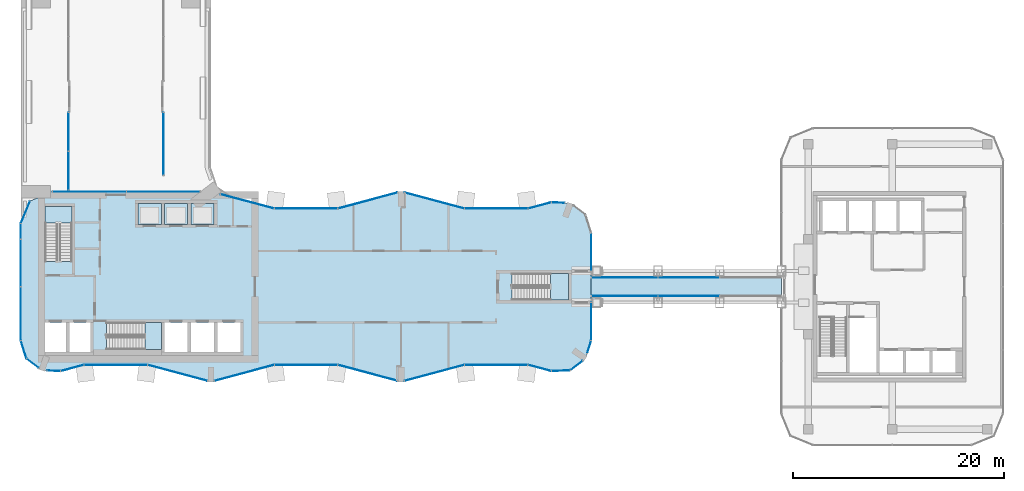
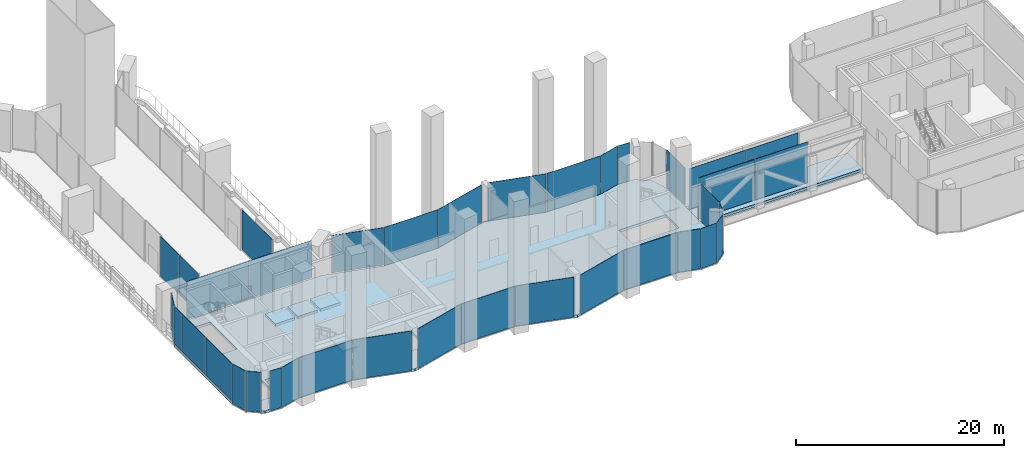
# One storey, part 13 of 23: 37 plates, 8 slabs, 36 elements without a shape of their own.
"""IFC4 building model written with IfcOpenShell, lengths in metres."""

from ifc_helpers import new_model, si_unit, direction, frame, origin, origin_2d, place, context, subcontext, project, spatial, polyline, rectangle, outline, extrude, material, layer, layer_set, type_object, element, aggregate, save


model = new_model("IFC4")

# Units and contexts
model_context = context("Model", 3, precision=1e-05, world=origin(), true_north=direction((0.0, 1.0)))
body_context = subcontext(model_context, "Body", "Model", "MODEL_VIEW")
ifc_project = project(units=[si_unit("LENGTHUNIT", "METRE"), si_unit("AREAUNIT", "SQUARE_METRE"), si_unit("VOLUMEUNIT", "CUBIC_METRE"), si_unit("PLANEANGLEUNIT", "RADIAN"), si_unit("MASSUNIT", "GRAM", prefix="KILO")], contexts=[model_context])

# Site, building, storey
site_placement = place(None, origin())
site = spatial("IfcSite", under=ifc_project, at=site_placement, CompositionType="ELEMENT")
building_placement = place(site_placement, origin())
building = spatial("IfcBuilding", under=site, at=building_placement, Name="Plateau Cross Towers", CompositionType="ELEMENT")
storey_placement = place(building_placement, frame((0.0, 0.0, 123.800048828125)))
storey = spatial("IfcBuildingStorey", under=building, at=storey_placement, Name="L32", CompositionType="ELEMENT", Elevation=123.800048828125)

# Curtain wall, plate
ifc_material_1 = material(Name="Dark low-iron laminated glass", Category="glass")
ifc_layer_1 = layer(ifc_material_1, 0.25)
ifc_layer_set_1 = layer_set([ifc_layer_1], Name="Dark low-iron laminated glass")
curtain_wall_type_1 = type_object("IfcCurtainWallType", Name="Curtain wall bridge CW-E", PredefinedType="NOTDEFINED", material=ifc_layer_set_1)
curtain_wall_1_placement = place(storey_placement, origin())
curtain_wall_1 = element("IfcCurtainWall", 1, at=curtain_wall_1_placement, inside=storey, type_object=curtain_wall_type_1, Name="ENV/BR/L32/BR-S-south-1", PredefinedType="NOTDEFINED")
ifc_layer_2 = layer(ifc_material_1, 0.030029296875)
ifc_layer_set_2 = layer_set([ifc_layer_2], Name="Dark low-iron laminated glass")
plate_type_1 = type_object("IfcPlateType", Name="Glass panel 30 bridge", PredefinedType="CURTAIN_PANEL", material=ifc_layer_set_2)
plate_1_placement = place(storey_placement, frame((57.166748046875, 8.1201171875, -0.179931640625), z_axis=(0.0, 0.0, 1.0), x_axis=(1.0, 0.0, 0.0)))
plate_1 = element("IfcPlate", 2, at=plate_1_placement, type_object=plate_type_1, Name="CW-E panel 1", PredefinedType="CURTAIN_PANEL", context=body_context, shape_type="SweptSolid", body=[
    extrude(rectangle(XDim=6.2734375, YDim=0.030029296875, at=origin_2d()), origin(), (0.0, 0.0, 1.0), 4.97998046875),
])
aggregate(curtain_wall_1, [plate_1])

curtain_wall_2_placement = place(storey_placement, origin())
curtain_wall_2 = element("IfcCurtainWall", 3, at=curtain_wall_2_placement, inside=storey, type_object=curtain_wall_type_1, Name="ENV/BR/L32/BR-S-south-2", PredefinedType="NOTDEFINED")
plate_2_placement = place(storey_placement, frame((63.25, 8.1201171875, -0.179931640625), z_axis=(0.0, 0.0, 1.0), x_axis=(1.0, 0.0, 0.0)))
plate_2 = element("IfcPlate", 4, at=plate_2_placement, type_object=plate_type_1, Name="CW-E panel 1", PredefinedType="CURTAIN_PANEL", context=body_context, shape_type="SweptSolid", body=[
    extrude(rectangle(XDim=5.7734375, YDim=0.030029296875, at=origin_2d()), origin(), (0.0, 0.0, 1.0), 4.97998046875),
])
aggregate(curtain_wall_2, [plate_2])

curtain_wall_3_placement = place(storey_placement, origin())
curtain_wall_3 = element("IfcCurtainWall", 5, at=curtain_wall_3_placement, inside=storey, type_object=curtain_wall_type_1, Name="ENV/BR/L32/BR-S-north-1", PredefinedType="NOTDEFINED")
plate_3_placement = place(storey_placement, frame((57.166748046875, 9.8798828125, -0.179931640625), z_axis=(0.0, 0.0, 1.0), x_axis=(1.0, 0.0, 0.0)))
plate_3 = element("IfcPlate", 6, at=plate_3_placement, type_object=plate_type_1, Name="CW-E panel 1", PredefinedType="CURTAIN_PANEL", context=body_context, shape_type="SweptSolid", body=[
    extrude(rectangle(XDim=6.2734375, YDim=0.030029296875, at=origin_2d()), origin(), (0.0, 0.0, 1.0), 4.97998046875),
])
aggregate(curtain_wall_3, [plate_3])

curtain_wall_4_placement = place(storey_placement, origin())
curtain_wall_4 = element("IfcCurtainWall", 7, at=curtain_wall_4_placement, inside=storey, type_object=curtain_wall_type_1, Name="ENV/BR/L32/BR-S-north-2", PredefinedType="NOTDEFINED")
plate_4_placement = place(storey_placement, frame((63.25, 9.8798828125, -0.179931640625), z_axis=(0.0, 0.0, 1.0), x_axis=(1.0, 0.0, 0.0)))
plate_4 = element("IfcPlate", 8, at=plate_4_placement, type_object=plate_type_1, Name="CW-E panel 1", PredefinedType="CURTAIN_PANEL", context=body_context, shape_type="SweptSolid", body=[
    extrude(rectangle(XDim=5.7734375, YDim=0.030029296875, at=origin_2d()), origin(), (0.0, 0.0, 1.0), 4.97998046875),
])
aggregate(curtain_wall_4, [plate_4])

ifc_material_2 = material(Name="Dark low-iron glass", Category="glass")
ifc_layer_3 = layer(ifc_material_2, 0.239990234375)
ifc_layer_set_3 = layer_set([ifc_layer_3], Name="Dark low-iron glass")
curtain_wall_type_2 = type_object("IfcCurtainWallType", Name="Curtain wall flush unitised CW-B", PredefinedType="NOTDEFINED", material=ifc_layer_set_3)
curtain_wall_5_placement = place(storey_placement, origin())
curtain_wall_5 = element("IfcCurtainWall", 9, at=curtain_wall_5_placement, inside=storey, type_object=curtain_wall_type_2, Name="ENV/A/L32/A502_10", PredefinedType="NOTDEFINED")
ifc_layer_4 = layer(ifc_material_2, 0.031982421875)
ifc_layer_set_4 = layer_set([ifc_layer_4], Name="Dark low-iron glass")
plate_type_2 = type_object("IfcPlateType", Name="Glass panel 32 flush unitised", PredefinedType="CURTAIN_PANEL", material=ifc_layer_set_4)
plate_5_placement = place(storey_placement, frame((51.125, 1.05078125, -0.18017578125), z_axis=(0.0, 0.0, 1.0), x_axis=(0.999043701491, 0.043722791671, 0.0)))
plate_5 = element("IfcPlate", 10, at=plate_5_placement, type_object=plate_type_2, Name="CW-B panel 1", PredefinedType="CURTAIN_PANEL", context=body_context, shape_type="SweptSolid", body=[
    extrude(rectangle(XDim=1.744140625, YDim=0.031982421875, at=origin_2d()), origin(), (0.0, 0.0, 1.0), 4.679931640625),
])
aggregate(curtain_wall_5, [plate_5])

curtain_wall_6_placement = place(storey_placement, origin())
curtain_wall_6 = element("IfcCurtainWall", 11, at=curtain_wall_6_placement, inside=storey, type_object=curtain_wall_type_2, Name="ENV/A/L32/A520_11", PredefinedType="NOTDEFINED")
plate_6_placement = place(storey_placement, frame((52.60986328125, 1.5380859375, -0.18017578125), z_axis=(0.0, 0.0, 1.0), x_axis=(0.793315514529, 0.608810721331, 0.0)))
plate_6 = element("IfcPlate", 12, at=plate_6_placement, type_object=plate_type_2, Name="CW-B panel 1", PredefinedType="CURTAIN_PANEL", context=body_context, shape_type="SweptSolid", body=[
    extrude(rectangle(XDim=1.41162109375, YDim=0.031982421875, at=origin_2d()), origin(), (0.0, 0.0, 1.0), 4.679931640625),
])
aggregate(curtain_wall_6, [plate_6])

curtain_wall_7_placement = place(storey_placement, origin())
curtain_wall_7 = element("IfcCurtainWall", 13, at=curtain_wall_7_placement, inside=storey, type_object=curtain_wall_type_2, Name="ENV/A/L32/A536_27", PredefinedType="NOTDEFINED")
plate_7_placement = place(storey_placement, frame((53.805419921875, 3.292236328125, -0.18017578125), z_axis=(0.0, 0.0, 1.0), x_axis=(0.300686174994, 0.95372313811, 0.0)))
plate_7 = element("IfcPlate", 14, at=plate_7_placement, type_object=plate_type_2, Name="CW-B panel 1", PredefinedType="CURTAIN_PANEL", context=body_context, shape_type="SweptSolid", body=[
    extrude(rectangle(XDim=1.233642578125, YDim=0.031982421875, at=origin_2d()), origin(), (0.0, 0.0, 1.0), 4.679931640625),
])
aggregate(curtain_wall_7, [plate_7])

curtain_wall_8_placement = place(storey_placement, origin())
curtain_wall_8 = element("IfcCurtainWall", 15, at=curtain_wall_8_placement, inside=storey, type_object=curtain_wall_type_2, Name="ENV/A/L32/A540_39", PredefinedType="NOTDEFINED")
plate_8_placement = place(storey_placement, frame((54.0, 5.70458984375, 0.1201171875), z_axis=(0.0, 0.0, 1.0), x_axis=(0.0, 1.0, 0.0)))
plate_8 = element("IfcPlate", 16, at=plate_8_placement, type_object=plate_type_2, Name="CW-B panel 1", PredefinedType="CURTAIN_PANEL", context=body_context, shape_type="SweptSolid", body=[
    extrude(rectangle(XDim=3.53076171875, YDim=0.031982421875, at=origin_2d()), origin(), (0.0, 0.0, 1.0), 4.3798828125),
])
aggregate(curtain_wall_8, [plate_8])

curtain_wall_9_placement = place(storey_placement, origin())
curtain_wall_9 = element("IfcCurtainWall", 17, at=curtain_wall_9_placement, inside=storey, type_object=curtain_wall_type_2, Name="ENV/A/L32/A540_105", PredefinedType="NOTDEFINED")
plate_9_placement = place(storey_placement, frame((54.0, 12.29541015625, 0.1201171875), z_axis=(0.0, 0.0, 1.0), x_axis=(0.0, 1.0, 0.0)))
plate_9 = element("IfcPlate", 18, at=plate_9_placement, type_object=plate_type_2, Name="CW-B panel 1", PredefinedType="CURTAIN_PANEL", context=body_context, shape_type="SweptSolid", body=[
    extrude(rectangle(XDim=3.53076171875, YDim=0.031982421875, at=origin_2d()), origin(), (0.0, 0.0, 1.0), 4.3798828125),
])
aggregate(curtain_wall_9, [plate_9])

curtain_wall_10_placement = place(storey_placement, origin())
curtain_wall_10 = element("IfcCurtainWall", 19, at=curtain_wall_10_placement, inside=storey, type_object=curtain_wall_type_2, Name="ENV/A/L32/A515_169", PredefinedType="NOTDEFINED")
plate_10_placement = place(storey_placement, frame((50.8701171875, 16.96044921875, -0.18017578125), z_axis=(0.0, 0.0, 1.0), x_axis=(-0.999043701491, 0.043722791671, 0.0)))
plate_10 = element("IfcPlate", 20, at=plate_10_placement, type_object=plate_type_2, Name="CW-B panel 1", PredefinedType="CURTAIN_PANEL", context=body_context, shape_type="SweptSolid", body=[
    extrude(rectangle(XDim=1.233642578125, YDim=0.031982421875, at=origin_2d()), origin(), (0.0, 0.0, 1.0), 4.679931640625),
])
aggregate(curtain_wall_10, [plate_10])

# Curtain wall, plates
curtain_wall_11_placement = place(storey_placement, origin())
curtain_wall_11 = element("IfcCurtainWall", 21, at=curtain_wall_11_placement, inside=storey, type_object=curtain_wall_type_2, Name="ENV/A/L32/A170_180", PredefinedType="NOTDEFINED")
plate_11_placement = place(storey_placement, frame((13.486328125, 18.0, 0.1201171875), z_axis=(0.0, 0.0, 1.0), x_axis=(-1.0, 0.0, 0.0)))
plate_11 = element("IfcPlate", 22, at=plate_11_placement, type_object=plate_type_2, Name="CW-B panel 1", PredefinedType="CURTAIN_PANEL", context=body_context, shape_type="SweptSolid", body=[
    extrude(rectangle(XDim=6.930908203125, YDim=0.031982421875, at=origin_2d()), origin(), (0.0, 0.0, 1.0), 4.3798828125),
])
plate_12_placement = place(storey_placement, frame((6.495361328125, 18.0, 0.1201171875), z_axis=(0.0, 0.0, 1.0), x_axis=(-1.0, 0.0, 0.0)))
plate_12 = element("IfcPlate", 23, at=plate_12_placement, type_object=plate_type_2, Name="CW-B panel 2", PredefinedType="CURTAIN_PANEL", context=body_context, shape_type="SweptSolid", body=[
    extrude(rectangle(XDim=6.930908203125, YDim=0.031982421875, at=origin_2d()), origin(), (0.0, 0.0, 1.0), 4.3798828125),
])
aggregate(curtain_wall_11, [plate_11, plate_12])

# Curtain wall, plate
curtain_wall_12_placement = place(storey_placement, origin())
curtain_wall_12 = element("IfcCurtainWall", 24, at=curtain_wall_12_placement, inside=storey, type_object=curtain_wall_type_2, Name="ENV/A/L32/A9_171", PredefinedType="NOTDEFINED")
plate_13_placement = place(storey_placement, frame((0.439453125, 16.060546875, 0.1201171875), z_axis=(0.0, 0.0, 1.0), x_axis=(-0.382683612978, -0.923879457699, 0.0)))
plate_13 = element("IfcPlate", 25, at=plate_13_placement, type_object=plate_type_2, Name="CW-B panel 1", PredefinedType="CURTAIN_PANEL", context=body_context, shape_type="SweptSolid", body=[
    extrude(rectangle(XDim=2.236083984375, YDim=0.031982421875, at=origin_2d()), origin(), (0.0, 0.0, 1.0), 4.3798828125),
])
aggregate(curtain_wall_12, [plate_13])

# Curtain wall, plates
curtain_wall_13_placement = place(storey_placement, origin())
curtain_wall_13 = element("IfcCurtainWall", 26, at=curtain_wall_13_placement, inside=storey, type_object=curtain_wall_type_2, Name="ENV/A/L32/A0_150", PredefinedType="NOTDEFINED")
plate_14_placement = place(storey_placement, frame((0.0, 14.25, 0.1201171875), z_axis=(0.0, 0.0, 1.0), x_axis=(0.0, -1.0, 0.0)))
plate_14 = element("IfcPlate", 27, at=plate_14_placement, type_object=plate_type_2, Name="CW-B panel 1", PredefinedType="CURTAIN_PANEL", context=body_context, shape_type="SweptSolid", body=[
    extrude(rectangle(XDim=1.43994140625, YDim=0.031982421875, at=origin_2d()), origin(), (0.0, 0.0, 1.0), 4.3798828125),
])
plate_15_placement = place(storey_placement, frame((0.0, 11.25, 0.1201171875), z_axis=(0.0, 0.0, 1.0), x_axis=(0.0, -1.0, 0.0)))
plate_15 = element("IfcPlate", 28, at=plate_15_placement, type_object=plate_type_2, Name="CW-B panel 2", PredefinedType="CURTAIN_PANEL", context=body_context, shape_type="SweptSolid", body=[
    extrude(rectangle(XDim=4.43994140625, YDim=0.031982421875, at=origin_2d()), origin(), (0.0, 0.0, 1.0), 4.3798828125),
])
plate_16_placement = place(storey_placement, frame((0.0, 6.45458984375, 0.1201171875), z_axis=(0.0, 0.0, 1.0), x_axis=(0.0, -1.0, 0.0)))
plate_16 = element("IfcPlate", 29, at=plate_16_placement, type_object=plate_type_2, Name="CW-B panel 3", PredefinedType="CURTAIN_PANEL", context=body_context, shape_type="SweptSolid", body=[
    extrude(rectangle(XDim=5.03076171875, YDim=0.031982421875, at=origin_2d()), origin(), (0.0, 0.0, 1.0), 4.3798828125),
])
aggregate(curtain_wall_13, [plate_14, plate_15, plate_16])

# Curtain wall, plate
curtain_wall_14_placement = place(storey_placement, origin())
curtain_wall_14 = element("IfcCurtainWall", 30, at=curtain_wall_14_placement, inside=storey, type_object=curtain_wall_type_2, Name="ENV/A/L32/A0_39", PredefinedType="NOTDEFINED")
plate_17_placement = place(storey_placement, frame((0.271240234375, 3.048828125, -0.18017578125), z_axis=(0.0, 0.0, 1.0), x_axis=(0.300686174994, -0.95372313811, 0.0)))
plate_17 = element("IfcPlate", 31, at=plate_17_placement, type_object=plate_type_2, Name="CW-B panel 1", PredefinedType="CURTAIN_PANEL", context=body_context, shape_type="SweptSolid", body=[
    extrude(rectangle(XDim=1.744140625, YDim=0.031982421875, at=origin_2d()), origin(), (0.0, 0.0, 1.0), 4.679931640625),
])
aggregate(curtain_wall_14, [plate_17])

curtain_wall_15_placement = place(storey_placement, origin())
curtain_wall_15 = element("IfcCurtainWall", 32, at=curtain_wall_15_placement, inside=storey, type_object=curtain_wall_type_2, Name="ENV/A/L32/A5_22", PredefinedType="NOTDEFINED")
plate_18_placement = place(storey_placement, frame((1.126220703125, 1.74072265625, -0.18017578125), z_axis=(0.0, 0.0, 1.0), x_axis=(0.793315514529, -0.608810721331, 0.0)))
plate_18 = element("IfcPlate", 33, at=plate_18_placement, type_object=plate_type_2, Name="CW-B panel 1", PredefinedType="CURTAIN_PANEL", context=body_context, shape_type="SweptSolid", body=[
    extrude(rectangle(XDim=1.41162109375, YDim=0.031982421875, at=origin_2d()), origin(), (0.0, 0.0, 1.0), 4.679931640625),
])
aggregate(curtain_wall_15, [plate_18])

curtain_wall_16_placement = place(storey_placement, origin())
curtain_wall_16 = element("IfcCurtainWall", 34, at=curtain_wall_16_placement, inside=storey, type_object=curtain_wall_type_2, Name="ENV/A/L32/A25_11", PredefinedType="NOTDEFINED")
plate_19_placement = place(storey_placement, frame((3.1298828125, 1.03955078125, -0.18017578125), z_axis=(0.0, 0.0, 1.0), x_axis=(0.999043701491, -0.043722791671, 0.0)))
plate_19 = element("IfcPlate", 35, at=plate_19_placement, type_object=plate_type_2, Name="CW-B panel 1", PredefinedType="CURTAIN_PANEL", context=body_context, shape_type="SweptSolid", body=[
    extrude(rectangle(XDim=1.233642578125, YDim=0.031982421875, at=origin_2d()), origin(), (0.0, 0.0, 1.0), 4.679931640625),
])
aggregate(curtain_wall_16, [plate_19])

curtain_wall_17_placement = place(storey_placement, origin())
curtain_wall_17 = element("IfcCurtainWall", 36, at=curtain_wall_17_placement, inside=storey, type_object=curtain_wall_type_2, Name="ENV/A/L32/sky135_255_135_196", PredefinedType="NOTDEFINED")
plate_20_placement = place(storey_placement, frame((13.5, 22.529541015625, 0.1201171875), z_axis=(0.0, 0.0, 1.0), x_axis=(0.0, -1.0, 0.0)))
plate_20 = element("IfcPlate", 37, at=plate_20_placement, type_object=plate_type_2, Name="CW-B panel 1", PredefinedType="CURTAIN_PANEL", context=body_context, shape_type="SweptSolid", body=[
    extrude(rectangle(XDim=5.880859375, YDim=0.031982421875, at=origin_2d()), origin(), (0.0, 0.0, 1.0), 4.679931640625),
])
aggregate(curtain_wall_17, [plate_20])

# Curtain wall, plates
curtain_wall_18_placement = place(storey_placement, origin())
curtain_wall_18 = element("IfcCurtainWall", 38, at=curtain_wall_18_placement, inside=storey, type_object=curtain_wall_type_2, Name="ENV/A/L32/sky45_182_45_255", PredefinedType="NOTDEFINED")
plate_21_placement = place(storey_placement, frame((4.5, 19.987548828125, 0.1201171875), z_axis=(0.0, 0.0, 1.0), x_axis=(0.0, 1.0, 0.0)))
plate_21 = element("IfcPlate", 39, at=plate_21_placement, type_object=plate_type_2, Name="CW-B panel 1", PredefinedType="CURTAIN_PANEL", context=body_context, shape_type="SweptSolid", body=[
    extrude(rectangle(XDim=3.614990234375, YDim=0.031982421875, at=origin_2d()), origin(), (0.0, 0.0, 1.0), 4.679931640625),
])
plate_22_placement = place(storey_placement, frame((4.5, 23.66259765625, 0.1201171875), z_axis=(0.0, 0.0, 1.0), x_axis=(0.0, 1.0, 0.0)))
plate_22 = element("IfcPlate", 40, at=plate_22_placement, type_object=plate_type_2, Name="CW-B panel 2", PredefinedType="CURTAIN_PANEL", context=body_context, shape_type="SweptSolid", body=[
    extrude(rectangle(XDim=3.614990234375, YDim=0.031982421875, at=origin_2d()), origin(), (0.0, 0.0, 1.0), 4.679931640625),
])
aggregate(curtain_wall_18, [plate_21, plate_22])

# Curtain wall, plate
ifc_layer_5 = layer(ifc_material_2, 0.260009765625)
ifc_layer_set_5 = layer_set([ifc_layer_5], Name="Dark low-iron glass")
curtain_wall_type_3 = type_object("IfcCurtainWallType", Name="Curtain wall fluted unitised CW-A", PredefinedType="NOTDEFINED", material=ifc_layer_set_5)
curtain_wall_19_placement = place(storey_placement, origin())
curtain_wall_19 = element("IfcCurtainWall", 41, at=curtain_wall_19_placement, inside=storey, type_object=curtain_wall_type_3, Name="ENV/A/L32/A38_10", PredefinedType="NOTDEFINED")
ifc_layer_6 = layer(ifc_material_2, 0.035888671875)
ifc_layer_set_6 = layer_set([ifc_layer_6], Name="Dark low-iron glass")
plate_type_3 = type_object("IfcPlateType", Name="Glass panel 36 fluted unitised", PredefinedType="CURTAIN_PANEL", material=ifc_layer_set_6)
plate_23_placement = place(storey_placement, frame((4.887939453125, 1.30908203125, -0.18017578125), z_axis=(0.0, 0.0, 1.0), x_axis=(0.965957962328, 0.258699081978, 0.0)))
plate_23 = element("IfcPlate", 42, at=plate_23_placement, type_object=plate_type_3, Name="CW-A panel 1", PredefinedType="CURTAIN_PANEL", context=body_context, shape_type="SweptSolid", body=[
    extrude(rectangle(XDim=2.2421875, YDim=0.035888671875, at=origin_2d()), origin(), (0.0, 0.0, 1.0), 4.679931640625),
])
aggregate(curtain_wall_19, [plate_23])

curtain_wall_20_placement = place(storey_placement, origin())
curtain_wall_20 = element("IfcCurtainWall", 43, at=curtain_wall_20_placement, inside=storey, type_object=curtain_wall_type_3, Name="ENV/A/L32/A60_16", PredefinedType="NOTDEFINED")
plate_24_placement = place(storey_placement, frame((9.0, 1.60693359375, -0.18017578125), z_axis=(0.0, 0.0, 1.0), x_axis=(1.0, 0.0, 0.0)))
plate_24 = element("IfcPlate", 44, at=plate_24_placement, type_object=plate_type_3, Name="CW-A panel 1", PredefinedType="CURTAIN_PANEL", context=body_context, shape_type="SweptSolid", body=[
    extrude(rectangle(XDim=5.93994140625, YDim=0.035888671875, at=origin_2d()), origin(), (0.0, 0.0, 1.0), 4.679931640625),
])
aggregate(curtain_wall_20, [plate_24])

curtain_wall_21_placement = place(storey_placement, origin())
curtain_wall_21 = element("IfcCurtainWall", 45, at=curtain_wall_21_placement, inside=storey, type_object=curtain_wall_type_3, Name="ENV/A/L32/A120_16", PredefinedType="NOTDEFINED")
plate_25_placement = place(storey_placement, frame((14.841064453125, 0.845947265625, -0.18017578125), z_axis=(0.0, 0.0, 1.0), x_axis=(0.965957983404, -0.258699003279, 0.0)))
plate_25 = element("IfcPlate", 46, at=plate_25_placement, type_object=plate_type_3, Name="CW-A panel 1", PredefinedType="CURTAIN_PANEL", context=body_context, shape_type="SweptSolid", body=[
    extrude(rectangle(XDim=5.822265625, YDim=0.035888671875, at=origin_2d()), origin(), (0.0, 0.0, 1.0), 4.679931640625),
])
aggregate(curtain_wall_21, [plate_25])

curtain_wall_22_placement = place(storey_placement, origin())
curtain_wall_22 = element("IfcCurtainWall", 47, at=curtain_wall_22_placement, inside=storey, type_object=curtain_wall_type_3, Name="ENV/A/L32/A183_1", PredefinedType="NOTDEFINED")
plate_26_placement = place(storey_placement, frame((21.158935546875, 0.845947265625, -0.18017578125), z_axis=(0.0, 0.0, 1.0), x_axis=(0.965957983404, 0.258699003279, 0.0)))
plate_26 = element("IfcPlate", 48, at=plate_26_placement, type_object=plate_type_3, Name="CW-A panel 1", PredefinedType="CURTAIN_PANEL", context=body_context, shape_type="SweptSolid", body=[
    extrude(rectangle(XDim=5.822265625, YDim=0.035888671875, at=origin_2d()), origin(), (0.0, 0.0, 1.0), 4.679931640625),
])
aggregate(curtain_wall_22, [plate_26])

curtain_wall_23_placement = place(storey_placement, origin())
curtain_wall_23 = element("IfcCurtainWall", 49, at=curtain_wall_23_placement, inside=storey, type_object=curtain_wall_type_3, Name="ENV/A/L32/A240_16", PredefinedType="NOTDEFINED")
plate_27_placement = place(storey_placement, frame((27.0, 1.60693359375, -0.18017578125), z_axis=(0.0, 0.0, 1.0), x_axis=(1.0, 0.0, 0.0)))
plate_27 = element("IfcPlate", 50, at=plate_27_placement, type_object=plate_type_3, Name="CW-A panel 1", PredefinedType="CURTAIN_PANEL", context=body_context, shape_type="SweptSolid", body=[
    extrude(rectangle(XDim=5.93994140625, YDim=0.035888671875, at=origin_2d()), origin(), (0.0, 0.0, 1.0), 4.679931640625),
])
aggregate(curtain_wall_23, [plate_27])

curtain_wall_24_placement = place(storey_placement, origin())
curtain_wall_24 = element("IfcCurtainWall", 51, at=curtain_wall_24_placement, inside=storey, type_object=curtain_wall_type_3, Name="ENV/A/L32/A300_16", PredefinedType="NOTDEFINED")
plate_28_placement = place(storey_placement, frame((32.841064453125, 0.845947265625, -0.18017578125), z_axis=(0.0, 0.0, 1.0), x_axis=(0.965957983404, -0.258699003279, 0.0)))
plate_28 = element("IfcPlate", 52, at=plate_28_placement, type_object=plate_type_3, Name="CW-A panel 1", PredefinedType="CURTAIN_PANEL", context=body_context, shape_type="SweptSolid", body=[
    extrude(rectangle(XDim=5.822265625, YDim=0.035888671875, at=origin_2d()), origin(), (0.0, 0.0, 1.0), 4.679931640625),
])
aggregate(curtain_wall_24, [plate_28])

curtain_wall_25_placement = place(storey_placement, origin())
curtain_wall_25 = element("IfcCurtainWall", 53, at=curtain_wall_25_placement, inside=storey, type_object=curtain_wall_type_3, Name="ENV/A/L32/A363_1", PredefinedType="NOTDEFINED")
plate_29_placement = place(storey_placement, frame((39.158935546875, 0.845947265625, -0.18017578125), z_axis=(0.0, 0.0, 1.0), x_axis=(0.965957983404, 0.258699003279, 0.0)))
plate_29 = element("IfcPlate", 54, at=plate_29_placement, type_object=plate_type_3, Name="CW-A panel 1", PredefinedType="CURTAIN_PANEL", context=body_context, shape_type="SweptSolid", body=[
    extrude(rectangle(XDim=5.822265625, YDim=0.035888671875, at=origin_2d()), origin(), (0.0, 0.0, 1.0), 4.679931640625),
])
aggregate(curtain_wall_25, [plate_29])

curtain_wall_26_placement = place(storey_placement, origin())
curtain_wall_26 = element("IfcCurtainWall", 55, at=curtain_wall_26_placement, inside=storey, type_object=curtain_wall_type_3, Name="ENV/A/L32/A420_16", PredefinedType="NOTDEFINED")
plate_30_placement = place(storey_placement, frame((45.0, 1.60693359375, -0.18017578125), z_axis=(0.0, 0.0, 1.0), x_axis=(1.0, 0.0, 0.0)))
plate_30 = element("IfcPlate", 56, at=plate_30_placement, type_object=plate_type_3, Name="CW-A panel 1", PredefinedType="CURTAIN_PANEL", context=body_context, shape_type="SweptSolid", body=[
    extrude(rectangle(XDim=5.93994140625, YDim=0.035888671875, at=origin_2d()), origin(), (0.0, 0.0, 1.0), 4.679931640625),
])
aggregate(curtain_wall_26, [plate_30])

curtain_wall_27_placement = place(storey_placement, origin())
curtain_wall_27 = element("IfcCurtainWall", 57, at=curtain_wall_27_placement, inside=storey, type_object=curtain_wall_type_3, Name="ENV/A/L32/A480_16", PredefinedType="NOTDEFINED")
plate_31_placement = place(storey_placement, frame((49.112060546875, 1.30908203125, -0.18017578125), z_axis=(0.0, 0.0, 1.0), x_axis=(0.965957962328, -0.258699081978, 0.0)))
plate_31 = element("IfcPlate", 58, at=plate_31_placement, type_object=plate_type_3, Name="CW-A panel 1", PredefinedType="CURTAIN_PANEL", context=body_context, shape_type="SweptSolid", body=[
    extrude(rectangle(XDim=2.2421875, YDim=0.035888671875, at=origin_2d()), origin(), (0.0, 0.0, 1.0), 4.679931640625),
])
aggregate(curtain_wall_27, [plate_31])

curtain_wall_28_placement = place(storey_placement, origin())
curtain_wall_28 = element("IfcCurtainWall", 59, at=curtain_wall_28_placement, inside=storey, type_object=curtain_wall_type_3, Name="ENV/A/L32/A502_170", PredefinedType="NOTDEFINED")
plate_32_placement = place(storey_placement, frame((49.112060546875, 16.69091796875, -0.18017578125), z_axis=(0.0, 0.0, 1.0), x_axis=(-0.965957962328, -0.258699081978, 0.0)))
plate_32 = element("IfcPlate", 60, at=plate_32_placement, type_object=plate_type_3, Name="CW-A panel 1", PredefinedType="CURTAIN_PANEL", context=body_context, shape_type="SweptSolid", body=[
    extrude(rectangle(XDim=2.2421875, YDim=0.035888671875, at=origin_2d()), origin(), (0.0, 0.0, 1.0), 4.679931640625),
])
aggregate(curtain_wall_28, [plate_32])

curtain_wall_29_placement = place(storey_placement, origin())
curtain_wall_29 = element("IfcCurtainWall", 61, at=curtain_wall_29_placement, inside=storey, type_object=curtain_wall_type_3, Name="ENV/A/L32/A480_164", PredefinedType="NOTDEFINED")
plate_33_placement = place(storey_placement, frame((45.0, 16.39306640625, -0.18017578125), z_axis=(0.0, 0.0, 1.0), x_axis=(-1.0, 0.0, 0.0)))
plate_33 = element("IfcPlate", 62, at=plate_33_placement, type_object=plate_type_3, Name="CW-A panel 1", PredefinedType="CURTAIN_PANEL", context=body_context, shape_type="SweptSolid", body=[
    extrude(rectangle(XDim=5.93994140625, YDim=0.035888671875, at=origin_2d()), origin(), (0.0, 0.0, 1.0), 4.679931640625),
])
aggregate(curtain_wall_29, [plate_33])

curtain_wall_30_placement = place(storey_placement, origin())
curtain_wall_30 = element("IfcCurtainWall", 63, at=curtain_wall_30_placement, inside=storey, type_object=curtain_wall_type_3, Name="ENV/A/L32/A420_164", PredefinedType="NOTDEFINED")
plate_34_placement = place(storey_placement, frame((39.158935546875, 17.154052734375, -0.18017578125), z_axis=(0.0, 0.0, 1.0), x_axis=(-0.965957983404, 0.258699003279, 0.0)))
plate_34 = element("IfcPlate", 64, at=plate_34_placement, type_object=plate_type_3, Name="CW-A panel 1", PredefinedType="CURTAIN_PANEL", context=body_context, shape_type="SweptSolid", body=[
    extrude(rectangle(XDim=5.822265625, YDim=0.035888671875, at=origin_2d()), origin(), (0.0, 0.0, 1.0), 4.679931640625),
])
aggregate(curtain_wall_30, [plate_34])

curtain_wall_31_placement = place(storey_placement, origin())
curtain_wall_31 = element("IfcCurtainWall", 65, at=curtain_wall_31_placement, inside=storey, type_object=curtain_wall_type_3, Name="ENV/A/L32/A357_179", PredefinedType="NOTDEFINED")
plate_35_placement = place(storey_placement, frame((32.841064453125, 17.154052734375, -0.18017578125), z_axis=(0.0, 0.0, 1.0), x_axis=(-0.965957983404, -0.258699003279, 0.0)))
plate_35 = element("IfcPlate", 66, at=plate_35_placement, type_object=plate_type_3, Name="CW-A panel 1", PredefinedType="CURTAIN_PANEL", context=body_context, shape_type="SweptSolid", body=[
    extrude(rectangle(XDim=5.822265625, YDim=0.035888671875, at=origin_2d()), origin(), (0.0, 0.0, 1.0), 4.679931640625),
])
aggregate(curtain_wall_31, [plate_35])

curtain_wall_32_placement = place(storey_placement, origin())
curtain_wall_32 = element("IfcCurtainWall", 67, at=curtain_wall_32_placement, inside=storey, type_object=curtain_wall_type_3, Name="ENV/A/L32/A300_164", PredefinedType="NOTDEFINED")
plate_36_placement = place(storey_placement, frame((27.0, 16.39306640625, -0.18017578125), z_axis=(0.0, 0.0, 1.0), x_axis=(-1.0, 0.0, 0.0)))
plate_36 = element("IfcPlate", 68, at=plate_36_placement, type_object=plate_type_3, Name="CW-A panel 1", PredefinedType="CURTAIN_PANEL", context=body_context, shape_type="SweptSolid", body=[
    extrude(rectangle(XDim=5.93994140625, YDim=0.035888671875, at=origin_2d()), origin(), (0.0, 0.0, 1.0), 4.679931640625),
])
aggregate(curtain_wall_32, [plate_36])

curtain_wall_33_placement = place(storey_placement, origin())
curtain_wall_33 = element("IfcCurtainWall", 69, at=curtain_wall_33_placement, inside=storey, type_object=curtain_wall_type_3, Name="ENV/A/L32/A240_164", PredefinedType="NOTDEFINED")
plate_37_placement = place(storey_placement, frame((21.461669921875, 17.072998046875, 0.1201171875), z_axis=(0.0, 0.0, 1.0), x_axis=(-0.965957983404, 0.258699003279, 0.0)))
plate_37 = element("IfcPlate", 70, at=plate_37_placement, type_object=plate_type_3, Name="CW-A panel 1", PredefinedType="CURTAIN_PANEL", context=body_context, shape_type="SweptSolid", body=[
    extrude(rectangle(XDim=5.19580078125, YDim=0.035888671875, at=origin_2d()), origin(), (0.0, 0.0, 1.0), 4.3798828125),
])
aggregate(curtain_wall_33, [plate_37])

# Slabs
ifc_material_3 = material(Name="Concrete C40/50", Category="concrete")
ifc_layer_7 = layer(ifc_material_3, 0.300048828125)
ifc_layer_set_7 = layer_set([ifc_layer_7], Name="Concrete C40/50")
slab_type_1 = type_object("IfcSlabType", Name="Lift pit slab 300", PredefinedType="BASESLAB", material=ifc_layer_set_7)
slab_1_placement = place(storey_placement, frame((0.0, 0.0, -1.699951171875)))
element("IfcSlab", 71, at=slab_1_placement, inside=storey, type_object=slab_type_1, Name="Lift pit slab HL1", PredefinedType="BASESLAB", context=body_context, shape_type="SweptSolid", body=[
    extrude(outline(polyline([(11.10009765625, 14.89990234375), (13.300048828125, 14.89990234375), (13.300048828125, 16.89990234375), (11.10009765625, 16.89990234375), (11.10009765625, 14.89990234375)])), origin(), (0.0, 0.0, 1.0), 0.2998046875),
])
slab_2_placement = place(storey_placement, frame((0.0, 0.0, -1.699951171875)))
element("IfcSlab", 72, at=slab_2_placement, inside=storey, type_object=slab_type_1, Name="Lift pit slab HL2", PredefinedType="BASESLAB", context=body_context, shape_type="SweptSolid", body=[
    extrude(outline(polyline([(13.60009765625, 14.89990234375), (15.800048828125, 14.89990234375), (15.800048828125, 16.89990234375), (13.60009765625, 16.89990234375), (13.60009765625, 14.89990234375)])), origin(), (0.0, 0.0, 1.0), 0.2998046875),
])
slab_3_placement = place(storey_placement, frame((0.0, 0.0, -1.699951171875)))
element("IfcSlab", 73, at=slab_3_placement, inside=storey, type_object=slab_type_1, Name="Lift pit slab HL3", PredefinedType="BASESLAB", context=body_context, shape_type="SweptSolid", body=[
    extrude(outline(polyline([(16.10009765625, 14.89990234375), (18.300048828125, 14.89990234375), (18.300048828125, 16.89990234375), (16.10009765625, 16.89990234375), (16.10009765625, 14.89990234375)])), origin(), (0.0, 0.0, 1.0), 0.2998046875),
])
ifc_layer_8 = layer(ifc_material_3, 0.300048828125)
ifc_layer_set_8 = layer_set([ifc_layer_8], Name="Concrete C40/50")
slab_type_2 = type_object("IfcSlabType", Name="Post-tensioned deck slab 300", PredefinedType="FLOOR", material=ifc_layer_set_8)
slab_4_placement = place(storey_placement, frame((0.0, 0.0, -0.300048828125)))
element("IfcSlab", 74, at=slab_4_placement, inside=storey, type_object=slab_type_2, Name="SL-BR-S-deck", PredefinedType="FLOOR", context=body_context, shape_type="SweptSolid", body=[
    extrude(outline(polyline([(54.0, 7.5), (54.0, 10.5), (72.0, 10.5), (72.0, 7.5), (54.0, 7.5)])), origin(), (0.0, 0.0, 1.0), 0.300048828125),
])
ifc_layer_9 = layer(ifc_material_3, 0.300048828125)
ifc_layer_set_9 = layer_set([ifc_layer_9], Name="Concrete C40/50")
slab_type_3 = type_object("IfcSlabType", Name="Post-tensioned flat plate slab 300", PredefinedType="FLOOR", material=ifc_layer_set_9)
slab_5_placement = place(storey_placement, frame((0.0, 0.0, -0.300048828125)))
element("IfcSlab", 75, at=slab_5_placement, inside=storey, type_object=slab_type_3, Name="SL-A-L32", PredefinedType="FLOOR", context=body_context, shape_type="SweptSolid", body=[
    extrude(outline(polyline([(1.9736328125, 1.090087890625), (0.54248046875, 2.1884765625), (0.0, 3.9091796875), (0.0, 15.0), (0.878662109375, 17.121337890625), (3.0, 18.0), (18.0, 18.0), (24.0, 16.39306640625), (30.0, 16.39306640625), (36.0, 18.0), (42.0, 16.39306640625), (48.0, 16.39306640625), (50.223876953125, 16.98876953125), (52.0263671875, 16.909912109375), (53.45751953125, 15.8115234375), (54.0, 14.0908203125), (54.0, 3.9091796875), (53.45751953125, 2.1884765625), (52.0263671875, 1.090087890625), (50.223876953125, 1.01123046875), (48.0, 1.60693359375), (42.0, 1.60693359375), (36.0, 0.0), (30.0, 1.60693359375), (24.0, 1.60693359375), (18.0, 0.0), (12.0, 1.60693359375), (6.0, 1.60693359375), (3.776123046875, 1.01123046875), (1.9736328125, 1.090087890625)]), holes=[polyline([(4.300048828125, 2.800048828125), (4.300048828125, 5.60009765625), (2.300048828125, 5.60009765625), (2.300048828125, 2.800048828125), (4.300048828125, 2.800048828125)]), polyline([(6.60009765625, 2.800048828125), (6.60009765625, 5.60009765625), (4.60009765625, 5.60009765625), (4.60009765625, 2.800048828125), (6.60009765625, 2.800048828125)]), polyline([(15.800048828125, 2.800048828125), (15.800048828125, 5.60009765625), (13.60009765625, 5.60009765625), (13.60009765625, 2.800048828125), (15.800048828125, 2.800048828125)]), polyline([(18.300048828125, 2.800048828125), (18.300048828125, 5.60009765625), (16.10009765625, 5.60009765625), (16.10009765625, 2.800048828125), (18.300048828125, 2.800048828125)]), polyline([(20.800048828125, 2.800048828125), (20.800048828125, 5.60009765625), (18.60009765625, 5.60009765625), (18.60009765625, 2.800048828125), (20.800048828125, 2.800048828125)]), polyline([(13.300048828125, 3.050048828125), (13.300048828125, 5.60009765625), (8.10009765625, 5.60009765625), (8.10009765625, 3.050048828125), (13.300048828125, 3.050048828125)]), polyline([(51.699951171875, 7.72509765625), (51.699951171875, 10.27490234375), (46.5, 10.27490234375), (46.5, 7.72509765625), (51.699951171875, 7.72509765625)]), polyline([(4.85009765625, 11.39990234375), (4.85009765625, 16.60009765625), (2.300048828125, 16.60009765625), (2.300048828125, 11.39990234375), (4.85009765625, 11.39990234375)])]), origin(), (0.0, 0.0, 1.0), 0.300048828125),
])

# Stair, slab
stair_type = type_object("IfcStairType", Name="ST-TWR", PredefinedType="HALF_TURN_STAIR", material=ifc_material_3)
stair_1_placement = place(storey_placement, origin())
stair_1 = element("IfcStair", 76, at=stair_1_placement, inside=storey, type_object=stair_type, Name="L32 Protected Exit Stair ST-1", PredefinedType="HALF_TURN_STAIR")
ifc_layer_10 = layer(ifc_material_3, 0.199951171875)
ifc_layer_set_10 = layer_set([ifc_layer_10], Name="Concrete C40/50")
slab_type_4 = type_object("IfcSlabType", Name="SL-LANDING", PredefinedType="LANDING", material=ifc_layer_set_10)
slab_6_placement = place(storey_placement, frame((0.0, 0.0, 2.199951171875)))
slab_6 = element("IfcSlab", 77, at=slab_6_placement, type_object=slab_type_4, Name="ST-1 landing 1", PredefinedType="LANDING", context=body_context, shape_type="SweptSolid", body=[
    extrude(outline(polyline([(4.85009765625, 15.0400390625), (4.85009765625, 16.60009765625), (2.300048828125, 16.60009765625), (2.300048828125, 15.0400390625), (4.85009765625, 15.0400390625)])), origin(), (0.0, 0.0, 1.0), 0.199951171875),
])
aggregate(stair_1, [slab_6])

stair_2_placement = place(storey_placement, origin())
stair_2 = element("IfcStair", 78, at=stair_2_placement, inside=storey, type_object=stair_type, Name="L32 Protected Exit Stair ST-2", PredefinedType="HALF_TURN_STAIR")
slab_7_placement = place(storey_placement, frame((0.0, 0.0, 2.199951171875)))
slab_7 = element("IfcSlab", 79, at=slab_7_placement, type_object=slab_type_4, Name="ST-2 landing 1", PredefinedType="LANDING", context=body_context, shape_type="SweptSolid", body=[
    extrude(outline(polyline([(11.739990234375, 3.050048828125), (13.300048828125, 3.050048828125), (13.300048828125, 5.60009765625), (11.739990234375, 5.60009765625), (11.739990234375, 3.050048828125)])), origin(), (0.0, 0.0, 1.0), 0.199951171875),
])
aggregate(stair_2, [slab_7])

stair_3_placement = place(storey_placement, origin())
stair_3 = element("IfcStair", 80, at=stair_3_placement, inside=storey, type_object=stair_type, Name="L32 Protected Exit Stair E", PredefinedType="HALF_TURN_STAIR")
slab_8_placement = place(storey_placement, frame((0.0, 0.0, 2.199951171875)))
slab_8 = element("IfcSlab", 81, at=slab_8_placement, type_object=slab_type_4, Name="ES-E landing 1", PredefinedType="LANDING", context=body_context, shape_type="SweptSolid", body=[
    extrude(outline(polyline([(50.139892578125, 7.72509765625), (51.85009765625, 7.72509765625), (51.85009765625, 10.27490234375), (50.139892578125, 10.27490234375), (50.139892578125, 7.72509765625)])), origin(), (0.0, 0.0, 1.0), 0.199951171875),
])
aggregate(stair_3, [slab_8])

save(model, "model.ifc")
